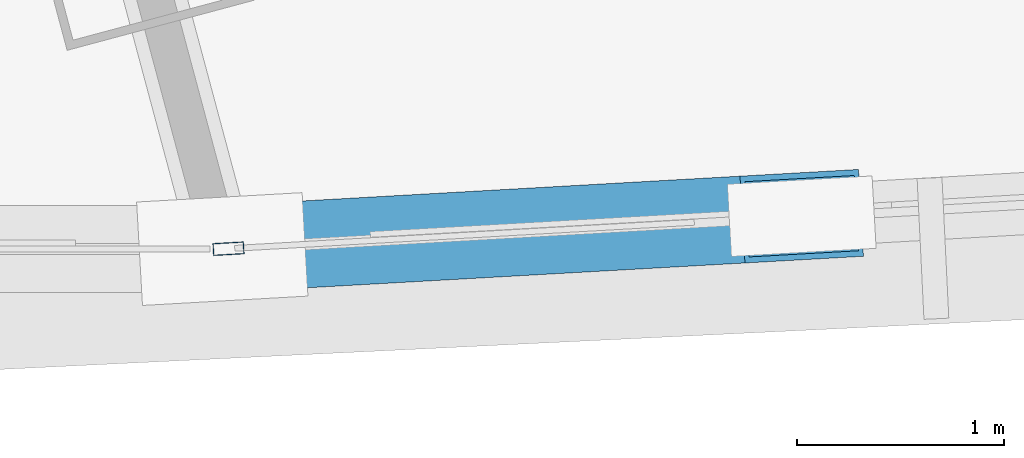
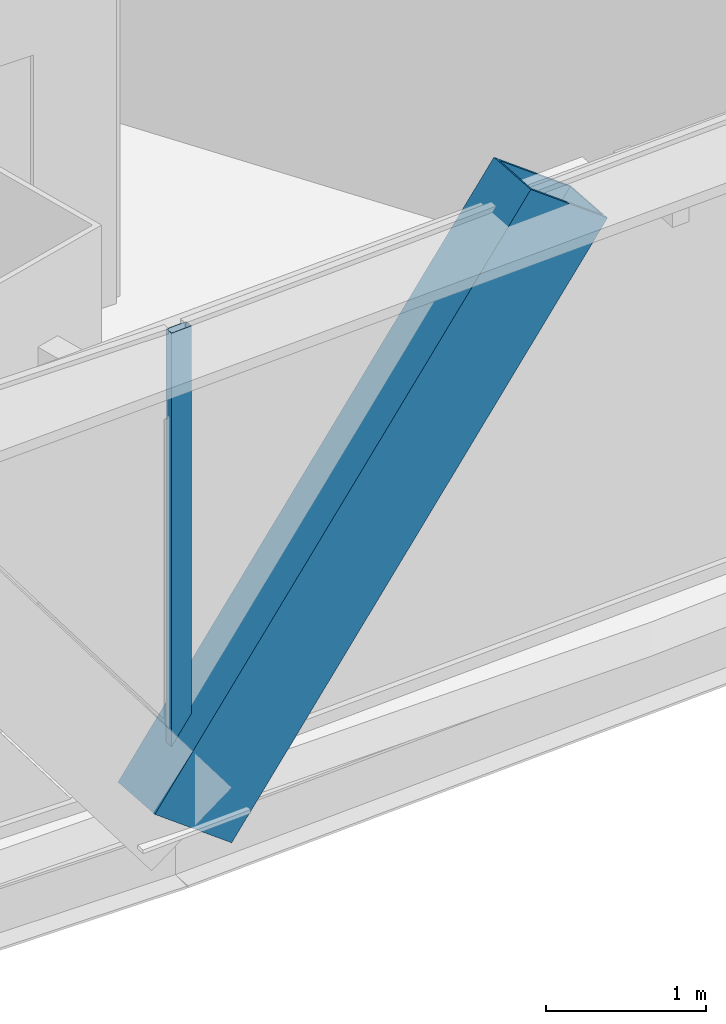
# One storey, part 12 of 39: 2 members, 1 element without a shape of its own.
"""IFC4 building model written with IfcOpenShell, lengths in metres."""

from ifc_helpers import new_model, si_unit, direction, frame, origin, origin_2d, place, context, subcontext, project, spatial, hollow_rectangle, extrude, source, transform, mapped, material, layer, layer_set, material_profile, profile_set, type_object, element, aggregate, save


model = new_model("IFC4")

# Units and contexts
model_context = context("Model", 3, precision=1e-05, world=origin(), true_north=direction((0.0, 1.0)))
body_context = subcontext(model_context, "Body", "Model", "MODEL_VIEW")
ifc_project = project(units=[si_unit("LENGTHUNIT", "METRE"), si_unit("AREAUNIT", "SQUARE_METRE"), si_unit("VOLUMEUNIT", "CUBIC_METRE"), si_unit("PLANEANGLEUNIT", "RADIAN"), si_unit("MASSUNIT", "GRAM", prefix="KILO"), si_unit("THERMODYNAMICTEMPERATUREUNIT", "KELVIN"), si_unit("POWERUNIT", "WATT")], contexts=[model_context])

# Site, building, storey
site_placement = place(None, origin())
site = spatial("IfcSite", under=ifc_project, at=site_placement, CompositionType="ELEMENT")
building_placement = place(site_placement, origin())
building = spatial("IfcBuilding", under=site, at=building_placement, Name="Yunzhuo Pagoda Commons", CompositionType="ELEMENT")
storey_placement = place(building_placement, frame((0.0, 0.0, 144.550048828125)))
storey = spatial("IfcBuildingStorey", under=building, at=storey_placement, Name="L36", CompositionType="ELEMENT", Elevation=144.550048828125)

# Member
ifc_material_1 = material(Name="Structural steel Q420B", Category="steel")
ifc_material_profile_1 = material_profile(ifc_material_1, hollow_rectangle(XDim=0.419921875, YDim=0.719970703125, WallThickness=0.028076171875, at=origin_2d()), Name="Structural steel Q420B")
ifc_profile_set_1 = profile_set([ifc_material_profile_1], Name="Structural steel Q420B")
member_type_1 = type_object("IfcMemberType", Name="M-DL1 Brace BOX 720x420x28", PredefinedType="BRACE", material=ifc_profile_set_1)
shared_shape_1 = source(origin(), body_context, "Body", "SweptSolid", [
    extrude(hollow_rectangle(XDim=0.419921875, YDim=0.719970703125, WallThickness=0.028076171875, at=origin_2d()), origin(), (0.0, 0.0, 1.0), 4.625),
])
member_1_placement = place(storey_placement, frame((53.498046875, 13.1806640625, -0.260009765625), z_axis=(0.604745460472, 0.034259759414, 0.795681592676), x_axis=(-0.056560845928, 0.998399154, 0.0)))
element("IfcMember", 1, at=member_1_placement, inside=storey, type_object=member_type_1, Name="L36 facade diamond brace F1.3L", PredefinedType="BRACE", context=body_context, shape_type="MappedRepresentation", body=[
    mapped(shared_shape_1, transform((0.0, 0.0, 0.0), scale=1.0)),
])

# Curtain wall, member
ifc_material_2 = material(Name="Anodized aluminium 6063-T6", Category="aluminium")
ifc_layer = layer(ifc_material_2, 0.14990234375)
ifc_layer_set = layer_set([ifc_layer], Name="Anodized aluminium 6063-T6")
curtain_wall_type = type_object("IfcCurtainWallType", Name="CW-MID Mid-Zone Ribbon Curtain Wall", PredefinedType="NOTDEFINED", material=ifc_layer_set)
curtain_wall_placement = place(storey_placement, origin())
curtain_wall = element("IfcCurtainWall", 2, at=curtain_wall_placement, inside=storey, type_object=curtain_wall_type, Name="L36 curtain wall CW-L36-F1B4", PredefinedType="NOTDEFINED")
ifc_material_profile_2 = material_profile(ifc_material_2, hollow_rectangle(XDim=0.06005859375, YDim=0.14990234375, WallThickness=0.00390625, at=origin_2d()), Name="Anodized aluminium 6063-T6")
ifc_profile_set_2 = profile_set([ifc_material_profile_2], Name="Anodized aluminium 6063-T6")
member_type_2 = type_object("IfcMemberType", Name="CW-MID-M Mullion RHS 150x60x4", PredefinedType="MULLION", material=ifc_profile_set_2)
shared_shape_2 = source(origin(), body_context, "Body", "SweptSolid", [
    extrude(hollow_rectangle(XDim=0.06005859375, YDim=0.14990234375, WallThickness=0.00390625, at=origin_2d()), origin(), (0.0, 0.0, 1.0), 3.419921875),
])
member_2_placement = place(storey_placement, frame((53.528076171875, 13.182373046875, 0.0), z_axis=(0.0, 0.0, 1.0), x_axis=(-0.056597401536, 0.998397082397, 0.0)))
member_2 = element("IfcMember", 3, at=member_2_placement, type_object=member_type_2, Name="CW mullion 1", PredefinedType="MULLION", context=body_context, shape_type="MappedRepresentation", body=[
    mapped(shared_shape_2, transform((0.0, 0.0, 0.0), scale=1.0)),
])
aggregate(curtain_wall, [member_2])

save(model, "model.ifc")
